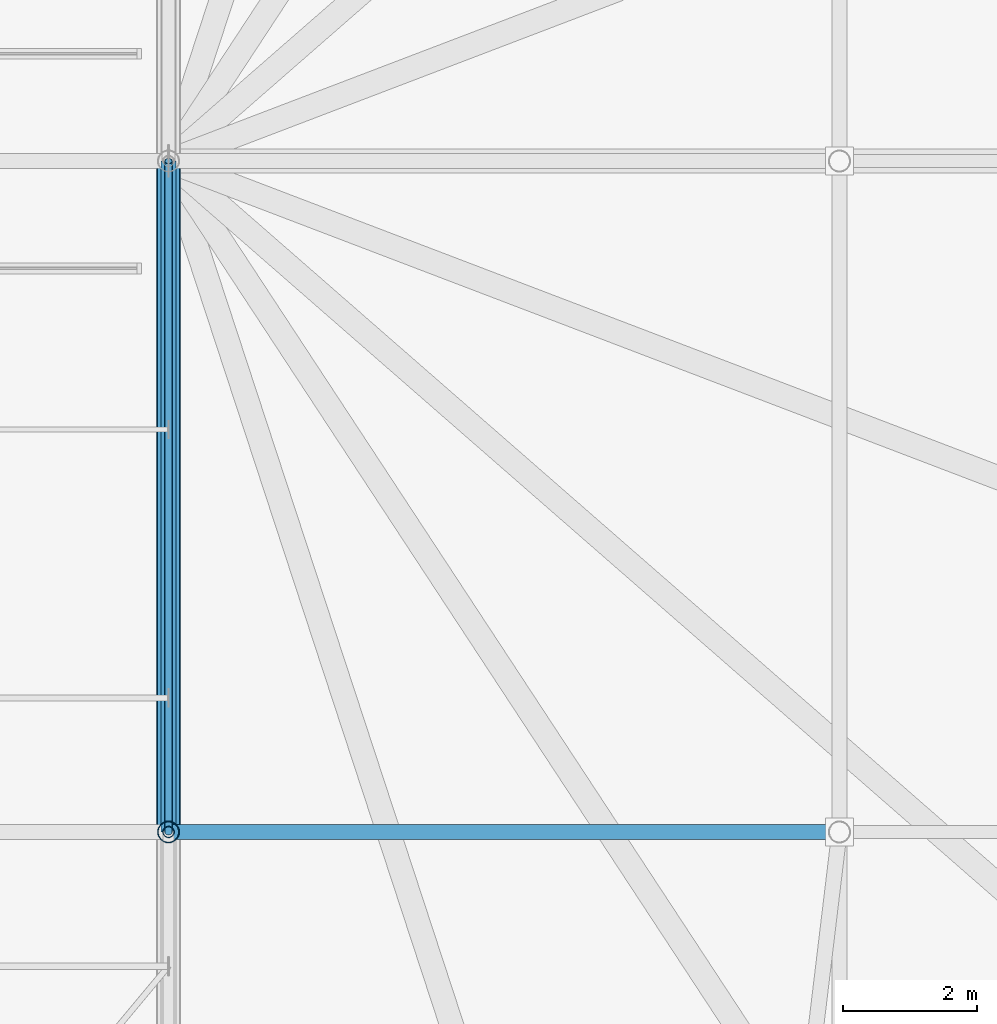
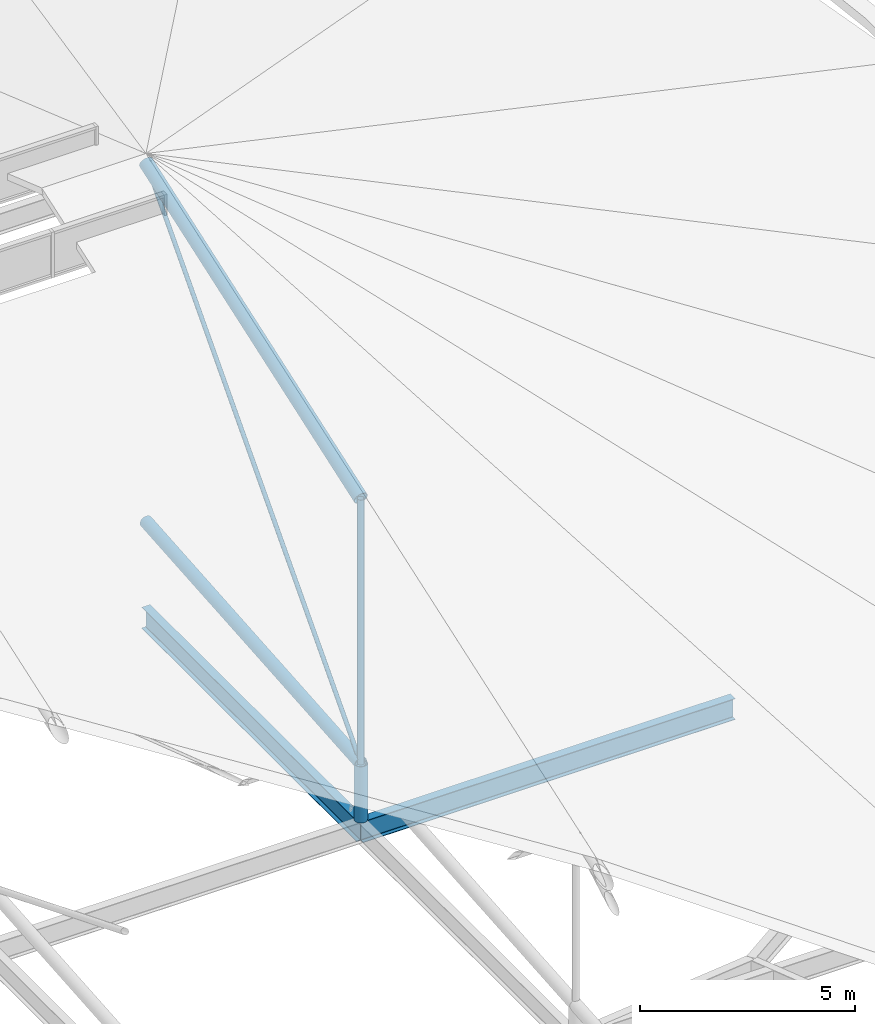
# One storey, part 64 of 93: 5 members, 2 beams.
"""IFC4 building model written with IfcOpenShell, lengths in metres."""

from ifc_helpers import new_model, si_unit, derived_unit, direction, frame, origin, origin_2d_with_axis, place, context, subcontext, project, spatial, hollow_circle, i_section, extrude, material, material_profile, profile_set, type_object, element, save


model = new_model("IFC4")

# Units and contexts
model_context = context("Model", 3, precision=1e-05, world=origin(), true_north=direction((0.0, 1.0)))
body_context = subcontext(model_context, "Body", "Model", "MODEL_VIEW")
ifc_project = project(units=[si_unit("LENGTHUNIT", "METRE"), si_unit("AREAUNIT", "SQUARE_METRE"), si_unit("VOLUMEUNIT", "CUBIC_METRE"), si_unit("PLANEANGLEUNIT", "RADIAN"), si_unit("MASSUNIT", "GRAM", prefix="KILO"), derived_unit("THERMALTRANSMITTANCEUNIT", [(si_unit("POWERUNIT", "WATT"), 1), (si_unit("LENGTHUNIT", "METRE"), -2), (si_unit("THERMODYNAMICTEMPERATUREUNIT", "KELVIN"), -1)])], contexts=[model_context])

# Site, building, storey
site_placement = place(None, origin())
site = spatial("IfcSite", under=ifc_project, at=site_placement, CompositionType="ELEMENT")
building_placement = place(site_placement, origin())
building = spatial("IfcBuilding", under=site, at=building_placement, Name="Cinnabar Yard Market Hall", CompositionType="ELEMENT")
storey_placement = place(building_placement, frame((0.0, 0.0, 23.800048828125)))
storey = spatial("IfcBuildingStorey", under=building, at=storey_placement, Name="ROOF", CompositionType="ELEMENT", Elevation=23.800048828125)

# Beams
ifc_material_1 = material(Name="Steel Grade 300 (300 MPa)", Category="steel")
ifc_material_profile_1 = material_profile(ifc_material_1, i_section(OverallWidth=0.22802734375, OverallDepth=0.60205078125, WebThickness=0.010498046875, FlangeThickness=0.014892578125, FilletRadius=0.013916015625, at=origin_2d_with_axis()), Name="610UB101")
ifc_profile_set_1 = profile_set([ifc_material_profile_1], Name="Steel Grade 300 (300 MPa)")
beam_type = type_object("IfcBeamType", Name="BM-B02", PredefinedType="BEAM", material=ifc_profile_set_1)
for number, where, z_axis, x_axis, name in (
    (1, (146.0, 34.0, -9.700927734375), (1.0, 0.0, 0.0), (0.0, 1.0, 0.0), "Hall Longitudinal Tie Girder 00387"),
    (2, (146.0, 34.0, -9.700927734375), (0.0, 1.0, 0.0), (-1.0, 0.0, 0.0), "Hall Transverse Tie Girder 00441"),
):
    element("IfcBeam", number, at=place(storey_placement, frame(where, z_axis=z_axis, x_axis=x_axis)), inside=storey, type_object=beam_type, Name=name, PredefinedType="BEAM", context=body_context, shape_type="SweptSolid", body=[
        extrude(i_section(OverallWidth=0.22802734375, OverallDepth=0.60205078125, WebThickness=0.010498046875, FlangeThickness=0.014892578125, FilletRadius=0.013916015625, at=origin_2d_with_axis()), origin(), (0.0, 0.0, 1.0), 10.0),
    ])

# Members
ifc_material_2 = material(Name="Cold-formed steel C350L0", Category="steel")
ifc_material_profile_2 = material_profile(ifc_material_2, hollow_circle(Radius=0.161865234375, WallThickness=0.009521484375, at=origin_2d_with_axis()), Name="323.9x9.5CHS")
ifc_profile_set_2 = profile_set([ifc_material_profile_2], Name="Cold-formed steel C350L0")
member_type_1 = type_object("IfcMemberType", Name="MB-BC01", PredefinedType="CHORD", material=ifc_profile_set_2)
member_1_placement = place(storey_placement, frame((146.0, 34.0, -7.800048828125), z_axis=(0.0, 0.99681489162, 0.07975005859), x_axis=(-1.0, 0.0, 0.0)))
element("IfcMember", 3, at=member_1_placement, inside=storey, type_object=member_type_1, Name="Hall Truss 146 Bottom Chord 3", PredefinedType="CHORD", context=body_context, shape_type="SweptSolid", body=[
    extrude(hollow_circle(Radius=0.161865234375, WallThickness=0.009521484375, at=origin_2d_with_axis()), origin(), (0.0, 0.0, 1.0), 10.031982421875),
])
ifc_material_profile_3 = material_profile(ifc_material_2, hollow_circle(Radius=0.05712890625, WallThickness=0.006103515625, at=origin_2d_with_axis()), Name="114.3x6.0CHS")
ifc_profile_set_3 = profile_set([ifc_material_profile_3], Name="Cold-formed steel C350L0")
member_type_2 = type_object("IfcMemberType", Name="MB-DG03", PredefinedType="BRACE", material=ifc_profile_set_3)
member_2_placement = place(storey_placement, frame((146.0, 34.0, -7.800048828125), z_axis=(0.0, 0.672672793996, 0.739940073396), x_axis=(-1.0, 0.0, 0.0)))
element("IfcMember", 4, at=member_2_placement, inside=storey, type_object=member_type_2, Name="Hall Truss 146 Diagonal 3", PredefinedType="BRACE", context=body_context, shape_type="SweptSolid", body=[
    extrude(hollow_circle(Radius=0.05712890625, WallThickness=0.006103515625, at=origin_2d_with_axis()), origin(), (0.0, 0.0, 1.0), 14.865966796875),
])
ifc_material_3 = material(Name="Spotted-gum glulam-clad steel Grade 350 (350 MPa)", Category="steel")
ifc_material_profile_4 = material_profile(ifc_material_3, hollow_circle(Radius=0.161865234375, WallThickness=0.009521484375, at=origin_2d_with_axis()), Name="323.9x9.5CHS")
ifc_profile_set_4 = profile_set([ifc_material_profile_4], Name="Spotted-gum glulam-clad steel Grade 350 (350 MPa)")
member_type_3 = type_object("IfcMemberType", Name="MB-ST01", PredefinedType="STRUT", material=ifc_profile_set_4)
member_3_placement = place(storey_placement, frame((146.0, 34.0, -9.400146484375), z_axis=(0.0, 0.0, 1.0), x_axis=(1.0, 0.0, 0.0)))
element("IfcMember", 5, at=member_3_placement, inside=storey, type_object=member_type_3, Name="Truss Bearing Post 146-34", PredefinedType="STRUT", context=body_context, shape_type="SweptSolid", body=[
    extrude(hollow_circle(Radius=0.161865234375, WallThickness=0.009521484375, at=origin_2d_with_axis()), origin(), (0.0, 0.0, 1.0), 1.60009765625),
])
ifc_material_profile_5 = material_profile(ifc_material_2, hollow_circle(Radius=0.177734375, WallThickness=0.0126953125, at=origin_2d_with_axis()), Name="355.6x12.7CHS")
ifc_profile_set_5 = profile_set([ifc_material_profile_5], Name="Cold-formed steel C350L0")
member_type_4 = type_object("IfcMemberType", Name="MB-TC01", PredefinedType="CHORD", material=ifc_profile_set_5)
member_4_placement = place(storey_placement, frame((146.0, 34.0, -0.28076171875), z_axis=(0.0, 0.944424919483, 0.328727199147), x_axis=(-1.0, 0.0, 0.0)))
element("IfcMember", 6, at=member_4_placement, inside=storey, type_object=member_type_4, Name="Hall Truss 146 Top Chord 3", PredefinedType="CHORD", context=body_context, shape_type="SweptSolid", body=[
    extrude(hollow_circle(Radius=0.177734375, WallThickness=0.0126953125, at=origin_2d_with_axis()), origin(), (0.0, 0.0, 1.0), 10.58837890625),
])
ifc_material_profile_6 = material_profile(ifc_material_2, hollow_circle(Radius=0.084228515625, WallThickness=0.00634765625, at=origin_2d_with_axis()), Name="168.3x6.4CHS")
ifc_profile_set_6 = profile_set([ifc_material_profile_6], Name="Cold-formed steel C350L0")
member_type_5 = type_object("IfcMemberType", Name="MB-WB01", PredefinedType="STRUT", material=ifc_profile_set_6)
member_5_placement = place(storey_placement, frame((146.0, 34.0, -7.800048828125), z_axis=(0.0, 0.0, 1.0), x_axis=(1.0, 0.0, 0.0)))
element("IfcMember", 7, at=member_5_placement, inside=storey, type_object=member_type_5, Name="Hall Truss 146 Post 2", PredefinedType="STRUT", context=body_context, shape_type="SweptSolid", body=[
    extrude(hollow_circle(Radius=0.084228515625, WallThickness=0.00634765625, at=origin_2d_with_axis()), origin(), (0.0, 0.0, 1.0), 7.519287109375),
])

save(model, "model.ifc")
